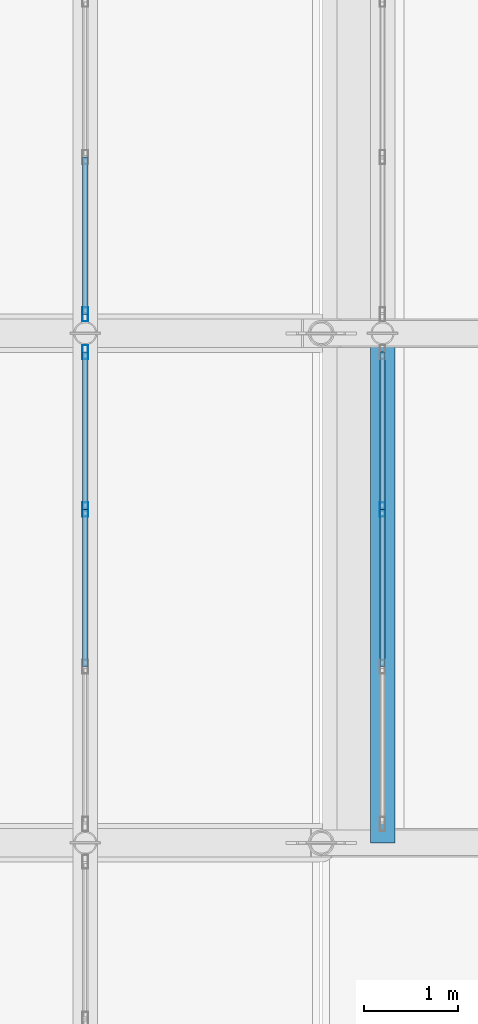
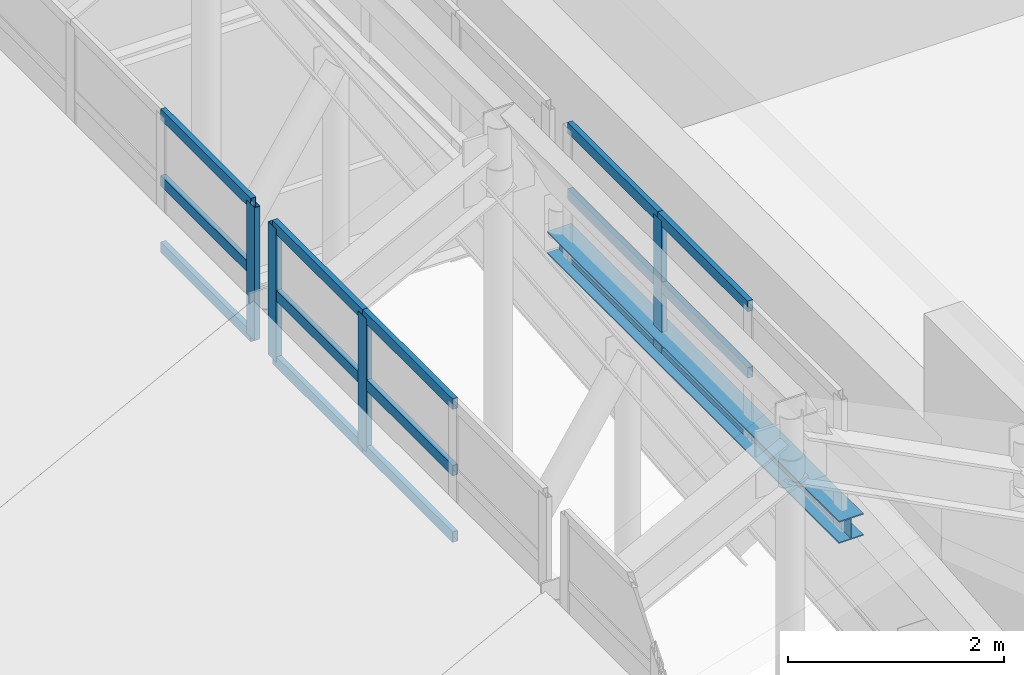
# One storey, part 13 of 84: 19 members, 1 beam, 3 elements without a shape of their own.
"""IFC4 building model written with IfcOpenShell, lengths in metres."""

from ifc_helpers import new_model, si_unit, direction, frame, origin, origin_2d, place, context, subcontext, project, spatial, hollow_rectangle, i_section, extrude, material, layer, layer_set, material_profile, profile_set, type_object, element, aggregate, save


model = new_model("IFC4")

# Units and contexts
model_context = context("Model", 3, precision=1e-05, world=origin(), true_north=direction((0.0, 1.0)))
body_context = subcontext(model_context, "Body", "Model", "MODEL_VIEW")
ifc_project = project(units=[si_unit("LENGTHUNIT", "METRE"), si_unit("AREAUNIT", "SQUARE_METRE"), si_unit("VOLUMEUNIT", "CUBIC_METRE"), si_unit("PLANEANGLEUNIT", "RADIAN"), si_unit("MASSUNIT", "GRAM", prefix="KILO")], contexts=[model_context])

# Site, building, storey
site_placement = place(None, origin())
site = spatial("IfcSite", under=ifc_project, at=site_placement, CompositionType="ELEMENT")
building_placement = place(site_placement, origin())
building = spatial("IfcBuilding", under=site, at=building_placement, Name="Sundgate Opera House", CompositionType="ELEMENT")
storey_placement = place(building_placement, frame((0.0, 0.0, 30.60009765625)))
storey = spatial("IfcBuildingStorey", under=building, at=storey_placement, Name="L06", CompositionType="ELEMENT", Elevation=30.60009765625)

# Beam
ifc_material_1 = material(Name="Steel S355J2", Category="steel")
ifc_material_profile_1 = material_profile(ifc_material_1, i_section(OverallWidth=0.260009765625, OverallDepth=0.25, WebThickness=0.007568359375, FlangeThickness=0.012451171875, at=origin_2d()), Name="HEA 260")
ifc_profile_set_1 = profile_set([ifc_material_profile_1], Name="Steel S355J2")
beam_type = type_object("IfcBeamType", Name="BM-LN-HEA260", PredefinedType="LINTEL", material=ifc_profile_set_1)
beam_placement = place(storey_placement, frame((54.64990234375, 38.39990234375, 12.119873046875), z_axis=(0.0, 1.0, 0.0), x_axis=(-1.0, 0.0, 0.0)))
element("IfcBeam", 1, at=beam_placement, inside=storey, type_object=beam_type, Name="L06 Crown Clerestory Curb Beam BS025", PredefinedType="LINTEL", context=body_context, shape_type="SweptSolid", body=[
    extrude(i_section(OverallWidth=0.260009765625, OverallDepth=0.25, WebThickness=0.007568359375, FlangeThickness=0.012451171875, at=origin_2d()), origin(), (0.0, 0.0, 1.0), 5.400146484375),
])

# Curtain wall, members
ifc_material_2 = material(Name="Anodized aluminium and low-iron glass", Category="aluminium")
ifc_layer = layer(ifc_material_2, 0.169921875)
ifc_layer_set = layer_set([ifc_layer], Name="Anodized aluminium and low-iron glass")
curtain_wall_type = type_object("IfcCurtainWallType", Name="CW-LANTERN-POLY", PredefinedType="NOTDEFINED", material=ifc_layer_set)
curtain_wall_1_placement = place(storey_placement, origin())
curtain_wall_1 = element("IfcCurtainWall", 2, at=curtain_wall_1_placement, inside=storey, type_object=curtain_wall_type, Name="L06 Curtain Wall CW171", PredefinedType="NOTDEFINED")
ifc_material_3 = material(Name="Anodized aluminium EN AW-6063", Category="aluminium")
ifc_material_profile_2 = material_profile(ifc_material_3, hollow_rectangle(XDim=0.06005859375, YDim=0.14990234375, WallThickness=0.00390625, at=origin_2d()), Name="CWM 150x60x4")
ifc_profile_set_2 = profile_set([ifc_material_profile_2], Name="Anodized aluminium EN AW-6063")
member_type_1 = type_object("IfcMemberType", Name="CWM-ALU-150x60", PredefinedType="MULLION", material=ifc_profile_set_2)
member_1_placement = place(storey_placement, frame((51.5, 43.60009765625, 12.0), z_axis=(0.0, 0.0, 1.0), x_axis=(1.0, 0.0, 0.0)))
member_1 = element("IfcMember", 3, at=member_1_placement, type_object=member_type_1, Name="CW171 Mullion 1", PredefinedType="MULLION", context=body_context, shape_type="SweptSolid", body=[
    extrude(hollow_rectangle(XDim=0.06005859375, YDim=0.14990234375, WallThickness=0.00390625, at=origin_2d()), origin(), (0.0, 0.0, 1.0), 1.5),
])
member_2_placement = place(storey_placement, frame((51.5, 41.933349609375, 12.0), z_axis=(0.0, 0.0, 1.0), x_axis=(1.0, 0.0, 0.0)))
member_2 = element("IfcMember", 4, at=member_2_placement, type_object=member_type_1, Name="CW171 Mullion 2", PredefinedType="MULLION", context=body_context, shape_type="SweptSolid", body=[
    extrude(hollow_rectangle(XDim=0.06005859375, YDim=0.14990234375, WallThickness=0.00390625, at=origin_2d()), origin(), (0.0, 0.0, 1.0), 1.5),
])

# Curtain wall, member
curtain_wall_2_placement = place(storey_placement, origin())
curtain_wall_2 = element("IfcCurtainWall", 5, at=curtain_wall_2_placement, inside=storey, type_object=curtain_wall_type, Name="L06 Curtain Wall CW172", PredefinedType="NOTDEFINED")
member_3_placement = place(storey_placement, frame((54.64990234375, 41.933349609375, 12.0), z_axis=(0.0, 0.0, 1.0), x_axis=(1.0, 0.0, 0.0)))
member_3 = element("IfcMember", 6, at=member_3_placement, type_object=member_type_1, Name="CW172 Mullion 3", PredefinedType="MULLION", context=body_context, shape_type="SweptSolid", body=[
    extrude(hollow_rectangle(XDim=0.06005859375, YDim=0.14990234375, WallThickness=0.00390625, at=origin_2d()), origin(), (0.0, 0.0, 1.0), 1.5),
])

curtain_wall_3_placement = place(storey_placement, origin())
curtain_wall_3 = element("IfcCurtainWall", 7, at=curtain_wall_3_placement, inside=storey, type_object=curtain_wall_type, Name="L06 Curtain Wall CW173", PredefinedType="NOTDEFINED")
member_4_placement = place(storey_placement, frame((51.5, 44.0, 12.0), z_axis=(0.0, 0.0, 1.0), x_axis=(1.0, 0.0, 0.0)))
member_4 = element("IfcMember", 8, at=member_4_placement, type_object=member_type_1, Name="CW173 Mullion 4", PredefinedType="MULLION", context=body_context, shape_type="SweptSolid", body=[
    extrude(hollow_rectangle(XDim=0.06005859375, YDim=0.14990234375, WallThickness=0.00390625, at=origin_2d()), origin(), (0.0, 0.0, 1.0), 1.5),
])

# Member
ifc_material_4 = material(Name="Anodized aluminium EN AW-6063", Category="aluminium")
ifc_material_profile_3 = material_profile(ifc_material_4, hollow_rectangle(XDim=0.054931640625, YDim=0.1201171875, WallThickness=0.00390625, at=origin_2d()), Name="CWT 120x55x4")
ifc_profile_set_3 = profile_set([ifc_material_profile_3], Name="Anodized aluminium EN AW-6063")
member_type_2 = type_object("IfcMemberType", Name="CWT-ALU-120x55", PredefinedType="USERDEFINED", material=ifc_profile_set_3)
member_5_placement = place(storey_placement, frame((51.5, 43.60009765625, 12.0), z_axis=(0.0, -1.0, 0.0), x_axis=(1.0, 0.0, 0.0)))
member_5 = element("IfcMember", 9, at=member_5_placement, type_object=member_type_2, Name="CW171 Transom 1", ObjectType="TRANSOM", PredefinedType="USERDEFINED", context=body_context, shape_type="SweptSolid", body=[
    extrude(hollow_rectangle(XDim=0.054931640625, YDim=0.1201171875, WallThickness=0.00390625, at=origin_2d()), origin(), (0.0, 0.0, 1.0), 1.666748046875),
])

member_6_placement = place(storey_placement, frame((51.5, 43.60009765625, 12.75), z_axis=(0.0, -1.0, 0.0), x_axis=(1.0, 0.0, 0.0)))
member_6 = element("IfcMember", 10, at=member_6_placement, type_object=member_type_2, Name="CW171 Transom 2", ObjectType="TRANSOM", PredefinedType="USERDEFINED", context=body_context, shape_type="SweptSolid", body=[
    extrude(hollow_rectangle(XDim=0.054931640625, YDim=0.1201171875, WallThickness=0.00390625, at=origin_2d()), origin(), (0.0, 0.0, 1.0), 1.666748046875),
])

member_7_placement = place(storey_placement, frame((51.5, 43.60009765625, 13.5), z_axis=(0.0, -1.0, 0.0), x_axis=(1.0, 0.0, 0.0)))
member_7 = element("IfcMember", 11, at=member_7_placement, type_object=member_type_2, Name="CW171 Transom 3", ObjectType="TRANSOM", PredefinedType="USERDEFINED", context=body_context, shape_type="SweptSolid", body=[
    extrude(hollow_rectangle(XDim=0.054931640625, YDim=0.1201171875, WallThickness=0.00390625, at=origin_2d()), origin(), (0.0, 0.0, 1.0), 1.666748046875),
])

member_8_placement = place(storey_placement, frame((51.5, 41.933349609375, 12.0), z_axis=(0.0, -1.0, 0.0), x_axis=(1.0, 0.0, 0.0)))
member_8 = element("IfcMember", 12, at=member_8_placement, type_object=member_type_2, Name="CW171 Transom 4", ObjectType="TRANSOM", PredefinedType="USERDEFINED", context=body_context, shape_type="SweptSolid", body=[
    extrude(hollow_rectangle(XDim=0.054931640625, YDim=0.1201171875, WallThickness=0.00390625, at=origin_2d()), origin(), (0.0, 0.0, 1.0), 1.666748046875),
])

member_9_placement = place(storey_placement, frame((51.5, 41.933349609375, 12.75), z_axis=(0.0, -1.0, 0.0), x_axis=(1.0, 0.0, 0.0)))
member_9 = element("IfcMember", 13, at=member_9_placement, type_object=member_type_2, Name="CW171 Transom 5", ObjectType="TRANSOM", PredefinedType="USERDEFINED", context=body_context, shape_type="SweptSolid", body=[
    extrude(hollow_rectangle(XDim=0.054931640625, YDim=0.1201171875, WallThickness=0.00390625, at=origin_2d()), origin(), (0.0, 0.0, 1.0), 1.666748046875),
])

member_10_placement = place(storey_placement, frame((51.5, 41.933349609375, 13.5), z_axis=(0.0, -1.0, 0.0), x_axis=(1.0, 0.0, 0.0)))
member_10 = element("IfcMember", 14, at=member_10_placement, type_object=member_type_2, Name="CW171 Transom 6", ObjectType="TRANSOM", PredefinedType="USERDEFINED", context=body_context, shape_type="SweptSolid", body=[
    extrude(hollow_rectangle(XDim=0.054931640625, YDim=0.1201171875, WallThickness=0.00390625, at=origin_2d()), origin(), (0.0, 0.0, 1.0), 1.666748046875),
])

aggregate(curtain_wall_1, [member_1, member_2, member_5, member_6, member_7, member_8, member_9, member_10])

member_11_placement = place(storey_placement, frame((54.64990234375, 40.2666015625, 12.0), z_axis=(0.0, 1.0, 0.0), x_axis=(-1.0, 0.0, 0.0)))
member_11 = element("IfcMember", 15, at=member_11_placement, type_object=member_type_2, Name="CW172 Transom 4", ObjectType="TRANSOM", PredefinedType="USERDEFINED", context=body_context, shape_type="SweptSolid", body=[
    extrude(hollow_rectangle(XDim=0.054931640625, YDim=0.1201171875, WallThickness=0.00390625, at=origin_2d()), origin(), (0.0, 0.0, 1.0), 1.666748046875),
])

member_12_placement = place(storey_placement, frame((54.64990234375, 40.2666015625, 12.75), z_axis=(0.0, 1.0, 0.0), x_axis=(-1.0, 0.0, 0.0)))
member_12 = element("IfcMember", 16, at=member_12_placement, type_object=member_type_2, Name="CW172 Transom 5", ObjectType="TRANSOM", PredefinedType="USERDEFINED", context=body_context, shape_type="SweptSolid", body=[
    extrude(hollow_rectangle(XDim=0.054931640625, YDim=0.1201171875, WallThickness=0.00390625, at=origin_2d()), origin(), (0.0, 0.0, 1.0), 1.666748046875),
])

member_13_placement = place(storey_placement, frame((54.64990234375, 40.2666015625, 13.5), z_axis=(0.0, 1.0, 0.0), x_axis=(-1.0, 0.0, 0.0)))
member_13 = element("IfcMember", 17, at=member_13_placement, type_object=member_type_2, Name="CW172 Transom 6", ObjectType="TRANSOM", PredefinedType="USERDEFINED", context=body_context, shape_type="SweptSolid", body=[
    extrude(hollow_rectangle(XDim=0.054931640625, YDim=0.1201171875, WallThickness=0.00390625, at=origin_2d()), origin(), (0.0, 0.0, 1.0), 1.666748046875),
])

member_14_placement = place(storey_placement, frame((54.64990234375, 41.933349609375, 12.0), z_axis=(0.0, 1.0, 0.0), x_axis=(-1.0, 0.0, 0.0)))
member_14 = element("IfcMember", 18, at=member_14_placement, type_object=member_type_2, Name="CW172 Transom 7", ObjectType="TRANSOM", PredefinedType="USERDEFINED", context=body_context, shape_type="SweptSolid", body=[
    extrude(hollow_rectangle(XDim=0.054931640625, YDim=0.1201171875, WallThickness=0.00390625, at=origin_2d()), origin(), (0.0, 0.0, 1.0), 1.666748046875),
])

member_15_placement = place(storey_placement, frame((54.64990234375, 41.933349609375, 12.75), z_axis=(0.0, 1.0, 0.0), x_axis=(-1.0, 0.0, 0.0)))
member_15 = element("IfcMember", 19, at=member_15_placement, type_object=member_type_2, Name="CW172 Transom 8", ObjectType="TRANSOM", PredefinedType="USERDEFINED", context=body_context, shape_type="SweptSolid", body=[
    extrude(hollow_rectangle(XDim=0.054931640625, YDim=0.1201171875, WallThickness=0.00390625, at=origin_2d()), origin(), (0.0, 0.0, 1.0), 1.666748046875),
])

member_16_placement = place(storey_placement, frame((54.64990234375, 41.933349609375, 13.5), z_axis=(0.0, 1.0, 0.0), x_axis=(-1.0, 0.0, 0.0)))
member_16 = element("IfcMember", 20, at=member_16_placement, type_object=member_type_2, Name="CW172 Transom 9", ObjectType="TRANSOM", PredefinedType="USERDEFINED", context=body_context, shape_type="SweptSolid", body=[
    extrude(hollow_rectangle(XDim=0.054931640625, YDim=0.1201171875, WallThickness=0.00390625, at=origin_2d()), origin(), (0.0, 0.0, 1.0), 1.666748046875),
])

aggregate(curtain_wall_2, [member_3, member_11, member_12, member_13, member_14, member_15, member_16])

member_17_placement = place(storey_placement, frame((51.5, 45.666748046875, 12.0), z_axis=(0.0, -1.0, 0.0), x_axis=(1.0, 0.0, 0.0)))
member_17 = element("IfcMember", 21, at=member_17_placement, type_object=member_type_2, Name="CW173 Transom 7", ObjectType="TRANSOM", PredefinedType="USERDEFINED", context=body_context, shape_type="SweptSolid", body=[
    extrude(hollow_rectangle(XDim=0.054931640625, YDim=0.1201171875, WallThickness=0.00390625, at=origin_2d()), origin(), (0.0, 0.0, 1.0), 1.666748046875),
])

member_18_placement = place(storey_placement, frame((51.5, 45.666748046875, 12.75), z_axis=(0.0, -1.0, 0.0), x_axis=(1.0, 0.0, 0.0)))
member_18 = element("IfcMember", 22, at=member_18_placement, type_object=member_type_2, Name="CW173 Transom 8", ObjectType="TRANSOM", PredefinedType="USERDEFINED", context=body_context, shape_type="SweptSolid", body=[
    extrude(hollow_rectangle(XDim=0.054931640625, YDim=0.1201171875, WallThickness=0.00390625, at=origin_2d()), origin(), (0.0, 0.0, 1.0), 1.666748046875),
])

member_19_placement = place(storey_placement, frame((51.5, 45.666748046875, 13.5), z_axis=(0.0, -1.0, 0.0), x_axis=(1.0, 0.0, 0.0)))
member_19 = element("IfcMember", 23, at=member_19_placement, type_object=member_type_2, Name="CW173 Transom 9", ObjectType="TRANSOM", PredefinedType="USERDEFINED", context=body_context, shape_type="SweptSolid", body=[
    extrude(hollow_rectangle(XDim=0.054931640625, YDim=0.1201171875, WallThickness=0.00390625, at=origin_2d()), origin(), (0.0, 0.0, 1.0), 1.666748046875),
])

aggregate(curtain_wall_3, [member_4, member_17, member_18, member_19])

save(model, "model.ifc")
